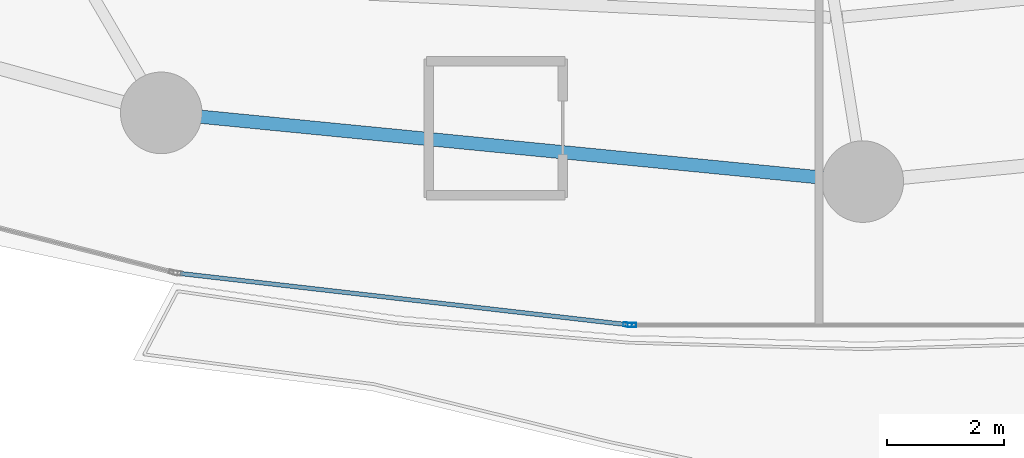
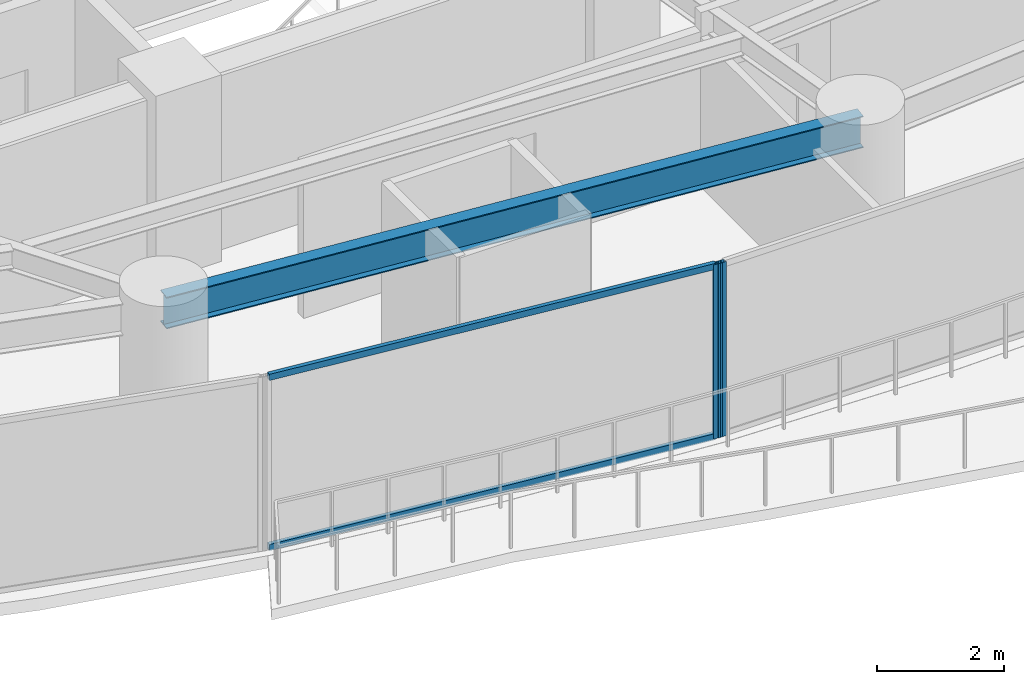
# One storey, part 6 of 33: 4 members, 1 beam, 2 elements without a shape of their own.
"""IFC4 building model written with IfcOpenShell, lengths in metres."""

from ifc_helpers import new_model, si_unit, direction, frame, origin, origin_2d, place, context, subcontext, project, spatial, hollow_rectangle, i_section, extrude, material, layer, layer_set, material_profile, profile_set, type_object, element, aggregate, save


model = new_model("IFC4")

# Units and contexts
model_context = context("Model", 3, precision=1e-05, world=origin(), true_north=direction((0.0, 1.0)))
body_context = subcontext(model_context, "Body", "Model", "MODEL_VIEW")
ifc_project = project(units=[si_unit("LENGTHUNIT", "METRE"), si_unit("AREAUNIT", "SQUARE_METRE"), si_unit("VOLUMEUNIT", "CUBIC_METRE"), si_unit("PLANEANGLEUNIT", "RADIAN"), si_unit("MASSUNIT", "GRAM", prefix="KILO")], contexts=[model_context])

# Site, building, storey
site_placement = place(None, origin())
site = spatial("IfcSite", under=ifc_project, at=site_placement, CompositionType="ELEMENT")
building_placement = place(site_placement, origin())
building = spatial("IfcBuilding", under=site, at=building_placement, Name="Kazevale Care Tower and Concert Hall", CompositionType="ELEMENT")
storey_placement = place(building_placement, frame((0.0, 0.0, 52.800048828125)))
storey = spatial("IfcBuildingStorey", under=building, at=storey_placement, Name="L13", CompositionType="ELEMENT", Elevation=52.800048828125)

# Curtain wall, member
ifc_material_1 = material(Name="Aluminium 6063-T6 and Low-E Glass", Category="aluminium")
ifc_layer = layer(ifc_material_1, 0.179931640625)
ifc_layer_set = layer_set([ifc_layer], Name="Aluminium 6063-T6 and Low-E Glass")
curtain_wall_type = type_object("IfcCurtainWallType", Name="Sheltered Concave Balcony Curtain Wall CW-5", PredefinedType="NOTDEFINED", material=ifc_layer_set)
curtain_wall_1_placement = place(storey_placement, origin())
curtain_wall_1 = element("IfcCurtainWall", 1, at=curtain_wall_1_placement, inside=storey, type_object=curtain_wall_type, Name="cw:L13:f06", PredefinedType="NOTDEFINED")
ifc_material_2 = material(Name="Aluminium 6063-T6", Category="aluminium")
ifc_material_profile_1 = material_profile(ifc_material_2, hollow_rectangle(XDim=0.074951171875, YDim=0.14990234375, WallThickness=0.00390625, at=origin_2d()), Name="ALU75x150x4")
ifc_profile_set_1 = profile_set([ifc_material_profile_1], Name="Aluminium 6063-T6")
member_type_1 = type_object("IfcMemberType", Name="CW-5 Mullion ALU75x150x4", PredefinedType="MULLION", material=ifc_profile_set_1)
member_1_placement = place(storey_placement, frame((41.03955078125, 14.889892578125, 0.0), z_axis=(0.0, 0.0, 1.0), x_axis=(0.0, -1.0, 0.0)))
member_1 = element("IfcMember", 2, at=member_1_placement, type_object=member_type_1, Name="CW-5 mullion 2", PredefinedType="MULLION", context=body_context, shape_type="SweptSolid", body=[
    extrude(hollow_rectangle(XDim=0.074951171875, YDim=0.14990234375, WallThickness=0.00390625, at=origin_2d()), origin(), (0.0, 0.0, 1.0), 3.35986328125),
])
aggregate(curtain_wall_1, [member_1])

# Curtain wall, members
curtain_wall_2_placement = place(storey_placement, origin())
curtain_wall_2 = element("IfcCurtainWall", 3, at=curtain_wall_2_placement, inside=storey, type_object=curtain_wall_type, Name="cw:L13:f07", PredefinedType="NOTDEFINED")
member_2_placement = place(storey_placement, frame((40.96484375, 14.894287109375, 0.0), z_axis=(0.0, 0.0, 1.0), x_axis=(-0.113704773808, -0.993514581883, 0.0)))
member_2 = element("IfcMember", 4, at=member_2_placement, type_object=member_type_1, Name="CW-5 mullion 1", PredefinedType="MULLION", context=body_context, shape_type="SweptSolid", body=[
    extrude(hollow_rectangle(XDim=0.074951171875, YDim=0.14990234375, WallThickness=0.00390625, at=origin_2d()), origin(), (0.0, 0.0, 1.0), 3.35986328125),
])
ifc_material_profile_2 = material_profile(ifc_material_2, hollow_rectangle(XDim=0.074951171875, YDim=0.1201171875, WallThickness=0.00390625, at=origin_2d()), Name="ALU75x120x4")
ifc_profile_set_2 = profile_set([ifc_material_profile_2], Name="Aluminium 6063-T6")
member_type_2 = type_object("IfcMemberType", Name="CW-5 Transom ALU75x120x4", PredefinedType="USERDEFINED", material=ifc_profile_set_2)
member_3_placement = place(storey_placement, frame((40.927490234375, 14.8984375, 0.037353515625), z_axis=(-0.993513842403, 0.113711234948, 0.0), x_axis=(-0.113711234948, -0.993513842403, 0.0)))
member_3 = element("IfcMember", 5, at=member_3_placement, type_object=member_type_2, Name="CW-5 transom 1.1", ObjectType="TRANSOM", PredefinedType="USERDEFINED", context=body_context, shape_type="SweptSolid", body=[
    extrude(hollow_rectangle(XDim=0.074951171875, YDim=0.1201171875, WallThickness=0.00390625, at=origin_2d()), origin(), (0.0, 0.0, 1.0), 7.69482421875),
])
member_4_placement = place(storey_placement, frame((40.927490234375, 14.8984375, 3.322509765625), z_axis=(-0.993513842403, 0.113711234948, 0.0), x_axis=(-0.113711234948, -0.993513842403, 0.0)))
member_4 = element("IfcMember", 6, at=member_4_placement, type_object=member_type_2, Name="CW-5 transom 1.2", ObjectType="TRANSOM", PredefinedType="USERDEFINED", context=body_context, shape_type="SweptSolid", body=[
    extrude(hollow_rectangle(XDim=0.074951171875, YDim=0.1201171875, WallThickness=0.00390625, at=origin_2d()), origin(), (0.0, 0.0, 1.0), 7.69482421875),
])
aggregate(curtain_wall_2, [member_2, member_3, member_4])

# Beam
ifc_material_3 = material(Name="Steel ASTM A572 Gr 50", Category="steel")
ifc_material_profile_3 = material_profile(ifc_material_3, i_section(OverallWidth=0.22900390625, OverallDepth=0.612060546875, WebThickness=0.011962890625, FlangeThickness=0.01953125, at=origin_2d()), Name="W610x125")
ifc_profile_set_3 = profile_set([ifc_material_profile_3], Name="Steel ASTM A572 Gr 50")
beam_type = type_object("IfcBeamType", Name="Ring Spandrel Beam W610x125", PredefinedType="SPANDREL", material=ifc_profile_set_3)
beam_placement = place(storey_placement, frame((32.9599609375, 18.530029296875, 3.053955078125), z_axis=(0.995232251602, -0.09753340644, 0.0), x_axis=(0.09753340644, 0.995232251602, 0.0)))
element("IfcBeam", 7, at=beam_placement, inside=storey, type_object=beam_type, Name="beam:L13:ring:12", PredefinedType="SPANDREL", context=body_context, shape_type="SweptSolid", body=[
    extrude(i_section(OverallWidth=0.22900390625, OverallDepth=0.612060546875, WebThickness=0.011962890625, FlangeThickness=0.01953125, at=origin_2d()), origin(), (0.0, 0.0, 1.0), 12.09765625),
])

save(model, "model.ifc")
